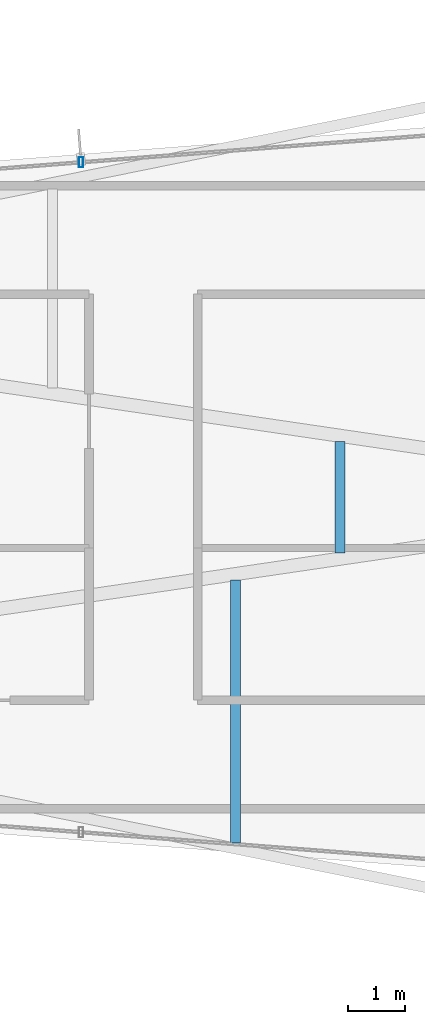
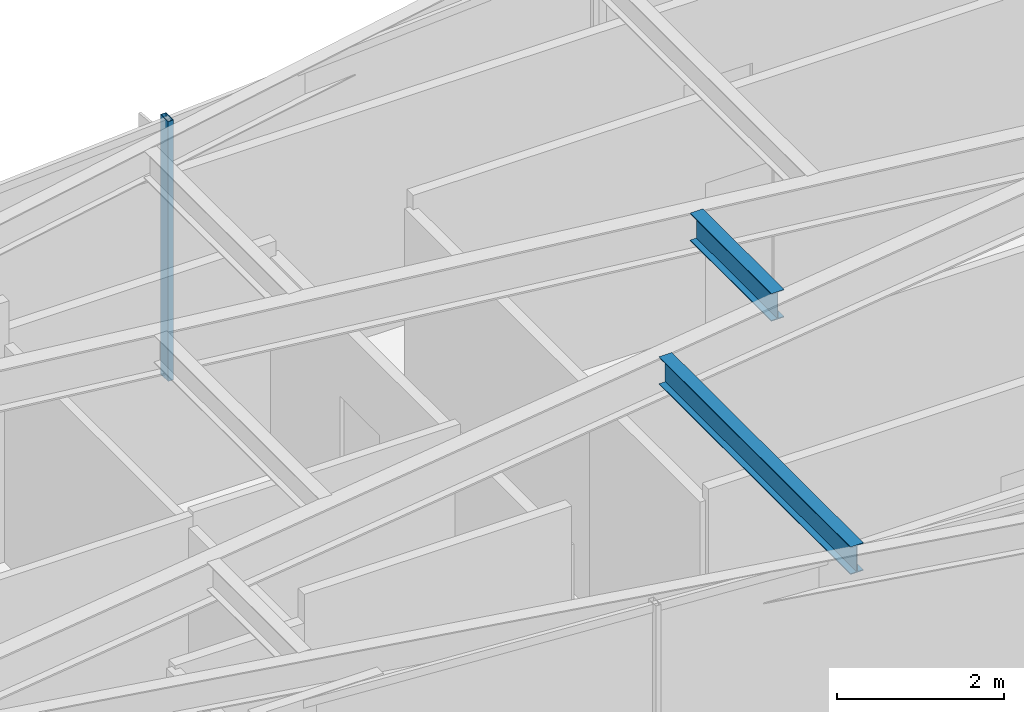
# One storey, part 10 of 30: 2 beams, 1 member, 1 element without a shape of its own.
"""IFC4 building model written with IfcOpenShell, lengths in metres."""

import ifcopenshell
import ifcopenshell.guid

model = None  # the IFC model being written
_history = None  # IfcOwnerHistory: only IFC2X3 demands one
_inside = {}  # id of a spatial element -> (the spatial element, [elements in it])
_under = {}  # id of a project, library or spatial element -> (it, [spatial elements below it])
_declared = {}  # id of a project -> (the project, [libraries it declares])
_typed = {}  # id of a type object -> (the type object, [elements of that type])
_made_of = {}  # id of a material, layer set ... -> (it, [elements and type objects made of it])


def new_model(schema):
    """Start an empty IFC model of exactly this schema.

    Asked for "IFC4X3", IfcOpenShell would pick the latest addendum, in which some entities
    have other attributes; the version numbers below select the first issue.
    IFC2X3 requires an IfcOwnerHistory on every rooted entity: one is made here for all.
    """
    global model, _history
    if schema == "IFC4X3":
        model = ifcopenshell.file(schema_version=(4, 3, 0, 0))
    else:
        model = ifcopenshell.file(schema=schema)
    _inside.clear()
    _under.clear()
    _declared.clear()
    _typed.clear()
    _made_of.clear()
    _history = None
    if model.schema == "IFC2X3":
        org = make("IfcOrganization", Name="unknown")
        user = make(
            "IfcPersonAndOrganization",
            ThePerson=make("IfcPerson", FamilyName="unknown"),
            TheOrganization=org,
        )
        app = make(
            "IfcApplication",
            ApplicationDeveloper=org,
            Version="unknown",
            ApplicationFullName="unknown",
            ApplicationIdentifier="unknown",
        )
        _history = make(
            "IfcOwnerHistory",
            OwningUser=user,
            OwningApplication=app,
            ChangeAction="ADDED",
            CreationDate=0,
        )
    return model


def make(cls, **values):
    """One entity of the class cls with the attributes given. An attribute that is None is left unset."""
    return model.create_entity(
        cls, **{name: value for name, value in values.items() if value is not None}
    )


def rooted(cls, **values):
    """An entity with a GlobalId (a new one), such as an element, a storey or a relation."""
    return make(cls, GlobalId=ifcopenshell.guid.new(), OwnerHistory=_history, **values)


def si_unit(unit_type, name, prefix=None):
    """IfcSIUnit, for example si_unit("LENGTHUNIT", "METRE", prefix="MILLI")."""
    return make("IfcSIUnit", UnitType=unit_type, Prefix=prefix, Name=name)


def assignment(units):
    """IfcUnitAssignment: the units of a project."""
    return None if units is None else make("IfcUnitAssignment", Units=units)


def point(xyz):
    """IfcCartesianPoint."""
    return None if xyz is None else make("IfcCartesianPoint", Coordinates=xyz)


def direction(xyz):
    """IfcDirection."""
    return None if xyz is None else make("IfcDirection", DirectionRatios=xyz)


def frame(location, z_axis=None, x_axis=None):
    """IfcAxis2Placement3D, a coordinate frame: its origin and axes. An axis left out is left unset."""
    return make(
        "IfcAxis2Placement3D",
        Location=point(location),
        Axis=direction(z_axis),
        RefDirection=direction(x_axis),
    )


def frame_2d(location, x_axis=None):
    """IfcAxis2Placement2D, a coordinate frame in the plane: its origin and x axis."""
    return make(
        "IfcAxis2Placement2D", Location=point(location), RefDirection=direction(x_axis)
    )


def origin():
    """The frame at (0, 0, 0) with its axes left unset."""
    return frame((0.0, 0.0, 0.0))


def origin_2d():
    """The frame at (0, 0) in the plane with its x axis left unset."""
    return frame_2d((0.0, 0.0))


def place(relative_to, where):
    """IfcLocalPlacement: puts the frame where relative to a parent placement (None: the world)."""
    return make(
        "IfcLocalPlacement", PlacementRelTo=relative_to, RelativePlacement=where
    )


def context(
    kind, dimensions, precision=None, world=None, true_north=None, identifier=None
):
    """IfcGeometricRepresentationContext, for example the 3D "Model" context."""
    return make(
        "IfcGeometricRepresentationContext",
        ContextIdentifier=identifier,
        ContextType=kind,
        CoordinateSpaceDimension=dimensions,
        Precision=precision,
        WorldCoordinateSystem=world,
        TrueNorth=true_north,
    )


def subcontext(parent, identifier, kind, view, scale=None):
    """IfcGeometricRepresentationSubContext, for example "Body" below "Model"."""
    return make(
        "IfcGeometricRepresentationSubContext",
        ContextIdentifier=identifier,
        ContextType=kind,
        ParentContext=parent,
        TargetScale=scale,
        TargetView=view,
    )


def project(units=None, contexts=None):
    """IfcProject with its units and contexts."""
    return rooted(
        "IfcProject",
        Name="project",
        RepresentationContexts=contexts,
        UnitsInContext=assignment(units),
    )


def spatial(cls, under=None, at=None, **own):
    """A site, building, storey or space (cls), placed at a placement, below another one or the project."""
    s = rooted(cls, ObjectPlacement=at, **own)
    if under is not None:
        _under.setdefault(under.id(), (under, []))[1].append(s)
    return s


def profile(cls, at=None, kind="AREA", **sizes):
    """A parametric profile (cls). Its sizes go by their IFC names, for example OverallWidth=200.0."""
    return make(cls, ProfileType=kind, Position=at, **sizes)


def hollow_rectangle(**sizes):
    """IfcRectangleHollowProfileDef."""
    return profile("IfcRectangleHollowProfileDef", **sizes)


def i_section(**sizes):
    """IfcIShapeProfileDef."""
    return profile("IfcIShapeProfileDef", **sizes)


def extrude(swept, where, along, depth):
    """IfcExtrudedAreaSolid: the profile swept, set in the frame where, extruded along a direction by depth."""
    return make(
        "IfcExtrudedAreaSolid",
        SweptArea=swept,
        Position=where,
        ExtrudedDirection=direction(along),
        Depth=depth,
    )


def shape(context_of_items, identifier, shape_type, items):
    """IfcShapeRepresentation: the items that make up one representation, for example the "Body"."""
    return make(
        "IfcShapeRepresentation",
        ContextOfItems=context_of_items,
        RepresentationIdentifier=identifier,
        RepresentationType=shape_type,
        Items=items,
    )


def material(Name=None, Category=None):
    """IfcMaterial."""
    return make("IfcMaterial", Name=Name, Category=Category)


def layer(
    of_material, thickness, ventilated=None, Name=None, Category=None, Priority=None
):
    """IfcMaterialLayer: one layer of a wall or slab, of a material (None: an air gap)."""
    return make(
        "IfcMaterialLayer",
        Material=of_material,
        LayerThickness=thickness,
        IsVentilated=ventilated,
        Name=Name,
        Category=Category,
        Priority=Priority,
    )


def layer_set(layers, Name=None):
    """IfcMaterialLayerSet."""
    return make("IfcMaterialLayerSet", MaterialLayers=layers, LayerSetName=Name)


def material_profile(
    of_material, cross_section, Name=None, Category=None, Priority=None
):
    """IfcMaterialProfile: a cross section and its material."""
    return make(
        "IfcMaterialProfile",
        Name=Name,
        Material=of_material,
        Profile=cross_section,
        Priority=Priority,
        Category=Category,
    )


def profile_set(profiles, Name=None, composite=None):
    """IfcMaterialProfileSet."""
    return make(
        "IfcMaterialProfileSet",
        Name=Name,
        MaterialProfiles=profiles,
        CompositeProfile=composite,
    )


def made_of(thing, what):
    """Note that an element or type object is made of a material, layer set ...; save() writes the relation."""
    if what is not None:
        _made_of.setdefault(what.id(), (what, []))[1].append(thing)
    return thing


def type_object(cls, material=None, **own):
    """A type object (cls), such as IfcWallType, which elements share."""
    return made_of(rooted(cls, **own), material)


def element(
    cls,
    number,
    at=None,
    inside=None,
    cuts=None,
    type_object=None,
    material=None,
    context=None,
    identifier="Body",
    shape_type=None,
    held_by="IfcProductDefinitionShape",
    body=None,
    shapes=None,
    **own,
):
    """One element of the class cls, such as IfcWall. Its Tag is "e" and its number.

    at: its placement. inside: the storey or other place that contains it. cuts: it is an
    opening in that element (IfcRelVoidsElement). A single representation is given by context,
    identifier, shape_type and body (its items); several are given by shapes. held_by: the class
    of the entity that holds the representations. save() writes the other relations.
    """
    e = rooted(cls, Tag="e%d" % number, ObjectPlacement=at, **own)
    if body is not None:
        shapes = [shape(context, identifier, shape_type, body)]
    if shapes is not None:
        e.Representation = make(held_by, Representations=shapes)
    if inside is not None:
        _inside.setdefault(inside.id(), (inside, []))[1].append(e)
    if cuts is not None:
        rooted(
            "IfcRelVoidsElement", RelatingBuildingElement=cuts, RelatedOpeningElement=e
        )
    if type_object is not None:
        _typed.setdefault(type_object.id(), (type_object, []))[1].append(e)
    return made_of(e, material)


def aggregate(whole, parts):
    """IfcRelAggregates: a whole, such as a stair, and the parts it consists of."""
    return rooted("IfcRelAggregates", RelatingObject=whole, RelatedObjects=parts)


def save(model, path):
    """Write the relations noted so far, then the file.

    IfcRelAggregates (storeys below a building ...), IfcRelContainedInSpatialStructure (elements
    in a storey), IfcRelDefinesByType, IfcRelAssociatesMaterial and IfcRelDeclares: one each for
    every whole, place, type object, material and project.
    """
    for whole, parts in _under.values():
        aggregate(whole, parts)
    for where, things in _inside.values():
        rooted(
            "IfcRelContainedInSpatialStructure",
            RelatedElements=things,
            RelatingStructure=where,
        )
    for kind, things in _typed.values():
        rooted("IfcRelDefinesByType", RelatedObjects=things, RelatingType=kind)
    for what, things in _made_of.values():
        rooted("IfcRelAssociatesMaterial", RelatedObjects=things, RelatingMaterial=what)
    for by, libraries in _declared.values():
        rooted("IfcRelDeclares", RelatingContext=by, RelatedDefinitions=libraries)
    model.write(path)


model = new_model("IFC4")

# Units and contexts
model_context = context("Model", 3, precision=1e-05, world=origin(), true_north=direction((0.0, 1.0)))
body_context = subcontext(model_context, "Body", "Model", "MODEL_VIEW")
ifc_project = project(units=[si_unit("LENGTHUNIT", "METRE"), si_unit("AREAUNIT", "SQUARE_METRE"), si_unit("VOLUMEUNIT", "CUBIC_METRE"), si_unit("PLANEANGLEUNIT", "RADIAN"), si_unit("MASSUNIT", "GRAM", prefix="KILO")], contexts=[model_context])

# Site, building, storey
site_placement = place(None, origin())
site = spatial("IfcSite", under=ifc_project, at=site_placement, CompositionType="ELEMENT")
building_placement = place(site_placement, origin())
building = spatial("IfcBuilding", under=site, at=building_placement, Name="Veymaron Broadcast Tower", CompositionType="ELEMENT")
storey_placement = place(building_placement, frame((0.0, 0.0, 49.949951171875)))
storey = spatial("IfcBuildingStorey", under=building, at=storey_placement, Name="L10", CompositionType="ELEMENT", Elevation=49.949951171875)

# Beams
ifc_material_1 = material(Name="Structural steel ASTM A992 Gr 50", Category="steel")
ifc_material_profile_1 = material_profile(ifc_material_1, i_section(OverallWidth=0.177978515625, OverallDepth=0.406982421875, WebThickness=0.0078125, FlangeThickness=0.0126953125, at=origin_2d()), Name="W410X60")
ifc_profile_set_1 = profile_set([ifc_material_profile_1], Name="Structural steel ASTM A992 Gr 50")
beam_type = type_object("IfcBeamType", Name="BM-JS1", PredefinedType="JOIST", material=ifc_profile_set_1)
beam_1_placement = place(storey_placement, frame((22.060791015625, 17.9560546875, 3.6064453125), z_axis=(0.0, 1.0, 0.0), x_axis=(-1.0, 0.0, 0.0)))
element("IfcBeam", 1, at=beam_1_placement, inside=storey, type_object=beam_type, Name="L10 Arm-A secondary joist 2S", PredefinedType="JOIST", context=body_context, shape_type="SweptSolid", body=[
    extrude(i_section(OverallWidth=0.177978515625, OverallDepth=0.406982421875, WebThickness=0.0078125, FlangeThickness=0.0126953125, at=origin_2d()), origin(), (0.0, 0.0, 1.0), 4.599853515625),
])
beam_2_placement = place(storey_placement, frame((23.888671875, 23.02490234375, 3.6064453125), z_axis=(0.0, 1.0, 0.0), x_axis=(-1.0, 0.0, 0.0)))
element("IfcBeam", 2, at=beam_2_placement, inside=storey, type_object=beam_type, Name="L10 Arm-A secondary joist 2M", PredefinedType="JOIST", context=body_context, shape_type="SweptSolid", body=[
    extrude(i_section(OverallWidth=0.177978515625, OverallDepth=0.406982421875, WebThickness=0.0078125, FlangeThickness=0.0126953125, at=origin_2d()), origin(), (0.0, 0.0, 1.0), 1.9501953125),
])

# Curtain wall, member
ifc_material_2 = material(Name="Anodised aluminium AA 6063-T6 and laminated low-E dark glass", Category="aluminium")
ifc_layer = layer(ifc_material_2, 0.179931640625)
ifc_layer_set = layer_set([ifc_layer], Name="Anodised aluminium AA 6063-T6 and laminated low-E dark glass")
curtain_wall_type = type_object("IfcCurtainWallType", Name="CW-SYS-02", PredefinedType="NOTDEFINED", material=ifc_layer_set)
curtain_wall_placement = place(storey_placement, origin())
curtain_wall = element("IfcCurtainWall", 3, at=curtain_wall_placement, inside=storey, type_object=curtain_wall_type, Name="L10 dark-glass curtain wall CW-L10-E11-1", PredefinedType="NOTDEFINED")
ifc_material_3 = material(Name="Anodised aluminium AA 6063-T6", Category="aluminium")
ifc_material_profile_2 = material_profile(ifc_material_3, hollow_rectangle(XDim=0.074951171875, YDim=0.179931640625, WallThickness=0.0048828125, at=origin_2d()), Name="AL180X75X5")
ifc_profile_set_2 = profile_set([ifc_material_profile_2], Name="Anodised aluminium AA 6063-T6")
member_type = type_object("IfcMemberType", Name="CW-MUL-02", PredefinedType="MULLION", material=ifc_profile_set_2)
member_placement = place(storey_placement, frame((19.36279296875, 29.857666015625, 0.0), z_axis=(0.0, 0.0, 1.0), x_axis=(1.0, 0.0, 0.0)))
member = element("IfcMember", 4, at=member_placement, type_object=member_type, Name="CW-L10-E11-1 mullion 1", PredefinedType="MULLION", context=body_context, shape_type="SweptSolid", body=[
    extrude(hollow_rectangle(XDim=0.074951171875, YDim=0.179931640625, WallThickness=0.0048828125, at=origin_2d()), origin(), (0.0, 0.0, 1.0), 3.81005859375),
])
aggregate(curtain_wall, [member])

save(model, "model.ifc")
